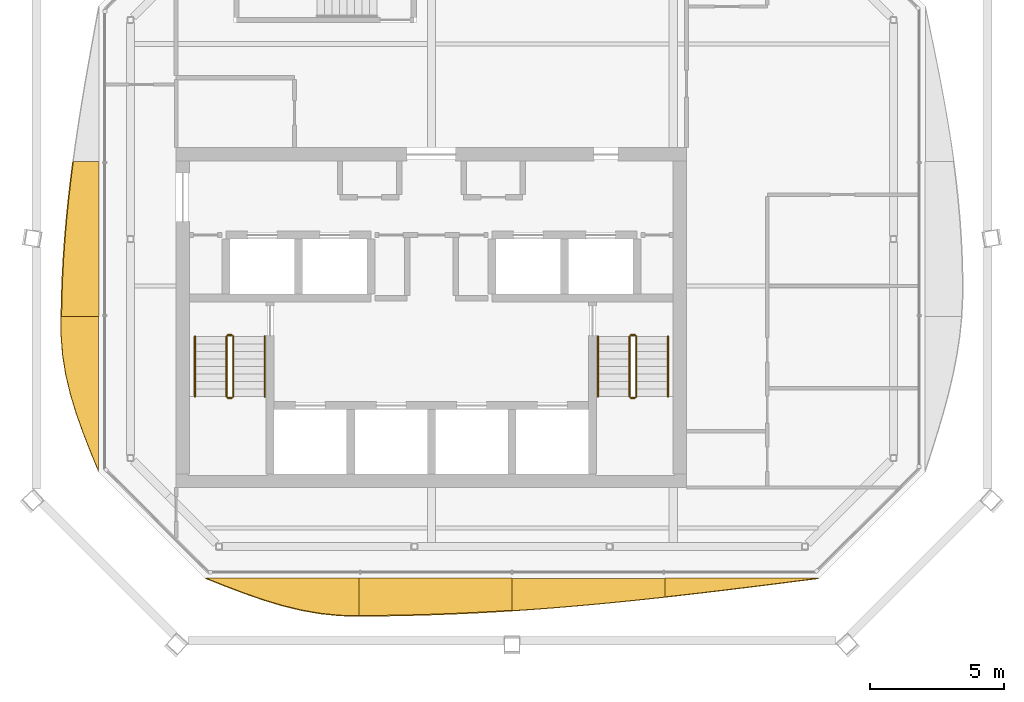
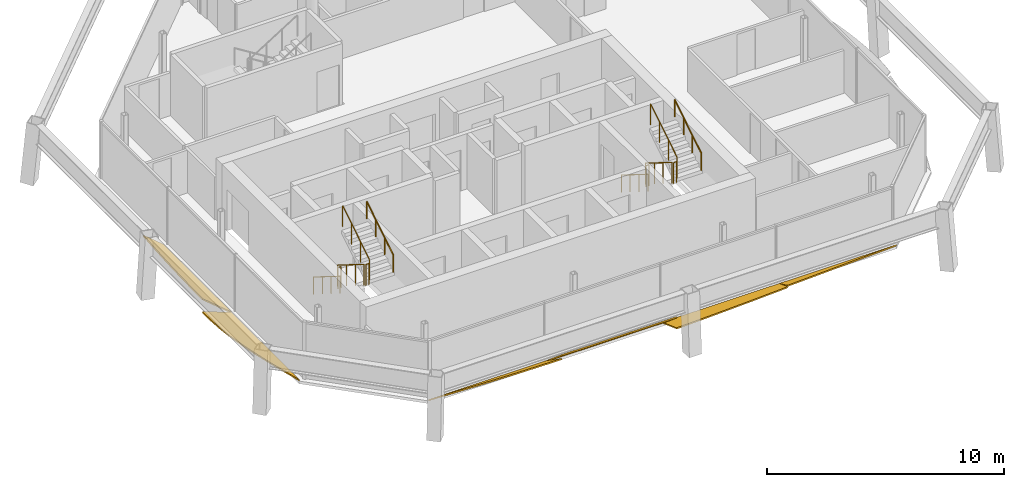
# One storey, part 12 of 14: 12 railings, 6 shading devices.
"""IFC4 building model written with IfcOpenShell, lengths in metres."""

from ifc_helpers import new_model, si_unit, direction, frame, origin, origin_2d, place, context, subcontext, project, spatial, polyline, circle, outline, extrude, material, layer, layer_set, type_object, element, save


model = new_model("IFC4")

# Units and contexts
model_context = context("Model", 3, precision=1e-05, world=origin(), true_north=direction((0.0, 1.0)))
body_context = subcontext(model_context, "Body", "Model", "MODEL_VIEW")
ifc_project = project(units=[si_unit("LENGTHUNIT", "METRE"), si_unit("AREAUNIT", "SQUARE_METRE"), si_unit("VOLUMEUNIT", "CUBIC_METRE"), si_unit("PLANEANGLEUNIT", "RADIAN"), si_unit("MASSUNIT", "GRAM", prefix="KILO")], contexts=[model_context])

# Site, building, storey
site_placement = place(None, origin())
site = spatial("IfcSite", under=ifc_project, at=site_placement, CompositionType="ELEMENT")
building_placement = place(site_placement, origin())
building = spatial("IfcBuilding", under=site, at=building_placement, Name="Tskaro Facet Tower", CompositionType="ELEMENT")
storey_placement = place(building_placement, frame((0.0, 0.0, 294.14990234375)))
storey = spatial("IfcBuildingStorey", under=building, at=storey_placement, Name="L79", CompositionType="ELEMENT", Elevation=294.14990234375)

# Shading devices
ifc_material_1 = material(Name="Bronze anodised aluminium 6063-T6", Category="aluminium")
ifc_layer = layer(ifc_material_1, 0.06005859375, Name="Bronze anodised aluminium 6063-T6")
ifc_layer_set = layer_set([ifc_layer], Name="Bronze anodised aluminium 6063-T6")
shading_device_type = type_object("IfcShadingDeviceType", Name="Bronze sun blade (FN1)", PredefinedType="USERDEFINED", material=ifc_layer_set)
shading_device_1_placement = place(storey_placement, frame((-8.39990234375, -15.365478515625, 0.04931640625), z_axis=(-1.80341e-06, 0.573482290062, 0.819217958166), x_axis=(0.999999999998, 1.034224e-06, 1.477386e-06)))
element("IfcShadingDevice", 1, at=shading_device_1_placement, inside=storey, type_object=shading_device_type, Name="Fin blade south 1", ObjectType="FIN", PredefinedType="USERDEFINED", context=body_context, shape_type="SweptSolid", body=[
    extrude(outline(polyline([(0.0, 0.0), (5.699951171865731, 0.0), (5.699951171862839, -1.7088265831165088), (5.51757812509633, -1.7091665978255495), (4.987304687417699, -1.6897258379076334), (4.274902343672651, -1.6033024705366963), (3.562500000182979, -1.451116544224178), (2.8498535158184284, -1.239528299971194), (2.1374511717204117, -0.9771380714174209), (1.4248046874320026, -0.6743862760724615), (0.7124023436615773, -0.34447342097230843), (0.0, 0.0)])), origin(), (0.0, 0.0, -1.0), 0.06005859375),
])
shading_device_2_placement = place(storey_placement, frame((-2.699951171875, -15.361328125, 0.046142578125), z_axis=(1.0842489e-05, 0.642723454567, 0.766098271002), x_axis=(0.999999999941, -6.968722e-06, -8.306412e-06)))
element("IfcShadingDevice", 2, at=shading_device_2_placement, inside=storey, type_object=shading_device_type, Name="Fin blade south 2", ObjectType="FIN", PredefinedType="USERDEFINED", context=body_context, shape_type="SweptSolid", body=[
    extrude(outline(polyline([(0.0, 0.0), (5.699951171539959, 0.0), (5.6999511720519225, -1.572648942792908), (4.98754882699387, -1.6294785351847652), (4.274902343786659, -1.6797429450561583), (3.562500000604145, -1.722724150369063), (2.8498535141684256, -1.7585790660293892), (2.1374511714866853, -1.7871808979360226), (1.4250488285312424, -1.8081555746675537), (0.7124023446771114, -1.8215030962239829), (-8.536694795492178e-10, -1.8273803775112185), (0.0, 0.0)])), origin(), (0.0, 0.0, -1.0), 0.06005859375),
])
shading_device_3_placement = place(storey_placement, frame((3.0, -15.37939453125, 0.056396484375), z_axis=(-5.401509e-06, 0.342072808056, 0.939673450705), x_axis=(0.999999999985, 1.847709e-06, 5.075655e-06)))
element("IfcShadingDevice", 3, at=shading_device_3_placement, inside=storey, type_object=shading_device_type, Name="Fin blade south 3", ObjectType="FIN", PredefinedType="USERDEFINED", context=body_context, shape_type="SweptSolid", body=[
    extrude(outline(polyline([(0.0, 0.0), (5.699951171791849, 1.207011610079721e-21), (5.699951171970633, -0.7378847372010957), (4.987548827736986, -0.8202125831007022), (4.274902342997889, -0.8989110851647704), (3.5625000006936065, -0.9738343447989015), (2.850097656481624, -1.0447318203956293), (2.1374511714272195, -1.1114576133605547), (1.4250488281336873, -1.1733234863030146), (0.7124023441118618, -1.2302459253538538), (-1.7633696128471069e-10, -1.2819120041803624), (0.0, 0.0)])), origin(), (0.0, 0.0, -1.0), 0.06005859375),
])
shading_device_4_placement = place(storey_placement, frame((8.699951171875, -15.374755859375, 0.054443359375), z_axis=(-3.489745e-06, 0.42268251359, 0.906277823127), x_axis=(0.999999999994, 1.475054e-06, 3.162678e-06)))
element("IfcShadingDevice", 4, at=shading_device_4_placement, inside=storey, type_object=shading_device_type, Name="Fin blade south 4", ObjectType="FIN", PredefinedType="USERDEFINED", context=body_context, shape_type="SweptSolid", body=[
    extrude(outline(polyline([(0.0, 0.0), (5.699951171840293, 0.0), (4.987548828069795, -0.09993973321140988), (4.275146484247402, -0.19933375398144793), (3.562499999748112, -0.2981820623101141), (2.8500976564902687, -0.39549642728771006), (2.1374511720916147, -0.4913949141753538), (1.425048828110372, -0.5851105512975102), (0.7126464842816612, -0.676422079420016), (-7.141218876178207e-11, -0.7647837861014992), (0.0, 0.0)])), origin(), (0.0, 0.0, -1.0), 0.06005859375),
])
shading_device_5_placement = place(storey_placement, frame((-12.361328125, 0.13330078125, 0.046142578125), z_axis=(0.642738109991, -2.820116e-06, 0.766085975565), x_axis=(-1.812596e-06, -0.999999999996, -2.160451e-06)))
element("IfcShadingDevice", 5, at=shading_device_5_placement, inside=storey, type_object=shading_device_type, Name="Fin blade west 2", ObjectType="FIN", PredefinedType="USERDEFINED", context=body_context, shape_type="SweptSolid", body=[
    extrude(outline(polyline([(0.0, 0.0), (5.766601562477069, 0.0), (5.766601562590493, -1.824441736432035), (5.045898437602108, -1.806592735992215), (4.324951171657769, -1.772270539883631), (3.6042480468076072, -1.722193164716805), (2.8833007811892433, -1.6568614801683865), (2.162353515870206, -1.5764625189472539), (1.441650390693263, -1.4821850531155842), (0.7207031247660188, -1.3745600665750213), (5.367704253968996e-11, -1.2546495271288503), (0.0, 0.0)])), origin(), (0.0, 0.0, -1.0), 0.06005859375),
])
shading_device_6_placement = place(storey_placement, frame((-12.37939453125, -5.63330078125, 0.056396484375), z_axis=(0.342080113868, 1.3619766e-05, 0.939670791028), x_axis=(4.659051e-06, -0.999999999907, 1.2798096e-05)))
element("IfcShadingDevice", 6, at=shading_device_6_placement, inside=storey, type_object=shading_device_type, Name="Fin blade west 3", ObjectType="FIN", PredefinedType="USERDEFINED", context=body_context, shape_type="SweptSolid", body=[
    extrude(outline(polyline([(0.0, 0.0), (5.766601561965153, 0.0), (5.045898438621018, -0.3144186981149196), (4.324951171597166, -0.6144659177378448), (3.604248048174565, -0.8867924784307222), (2.8833007800604156, -1.1192586393353057), (2.162597656508797, -1.301685740048424), (1.4416503900625617, -1.4253339715609503), (0.7209472639866545, -1.4848010762042536), (0.43823241938534974, -1.4899739220586468), (-4.479738898456847e-10, -1.487429256957854), (0.0, 0.0)])), origin(), (0.0, 0.0, -1.0), 0.06005859375),
])

# Railings
ifc_material_2 = material(Name="Stainless steel", Category="steel")
railing_type_1 = type_object("IfcRailingType", Name="RL-GUARD-1100", PredefinedType="GUARDRAIL", material=ifc_material_2)
railing_1_placement = place(storey_placement, frame((-7.625, -6.375, 0.175048828125)))
element("IfcRailing", 7, at=railing_1_placement, inside=storey, type_object=railing_type_1, Name="L79 ST-1 stair guard 1", PredefinedType="GUARDRAIL", context=body_context, shape_type="SweptSolid", body=[
    extrude(circle(Radius=0.02392578125, at=origin_2d()), frame((0.0, 0.0, 1.076171875), z_axis=(0.0, -0.847972341737, 0.530040477369), x_axis=(1.0, 0.0, 0.0)), (0.0, 0.0, 1.0), 2.6416015625),
    extrude(circle(Radius=0.02099609375, at=origin_2d()), origin(), (0.0, 0.0, 1.0), 1.052001953125),
    extrude(circle(Radius=0.02099609375, at=origin_2d()), frame((0.0, -0.74658203125, 0.466796875)), (0.0, 0.0, 1.0), 1.052001953125),
    extrude(circle(Radius=0.02099609375, at=origin_2d()), frame((0.0, -1.493408203125, 0.933349609375)), (0.0, 0.0, 1.0), 1.052001953125),
    extrude(circle(Radius=0.02099609375, at=origin_2d()), frame((0.0, -2.239990234375, 1.400146484375)), (0.0, 0.0, 1.0), 1.052001953125),
])
railing_2_placement = place(storey_placement, frame((-7.574951171875, -8.6650390625, 1.5751953125)))
element("IfcRailing", 8, at=railing_2_placement, inside=storey, type_object=railing_type_1, Name="L79 ST-1 stair guard 2", PredefinedType="GUARDRAIL", context=body_context, shape_type="SweptSolid", body=[
    extrude(circle(Radius=0.02392578125, at=origin_2d()), frame((0.0, 0.0, 1.076171875), z_axis=(1.0, 0.0, 0.0), x_axis=(0.0, 1.0, 0.0)), (0.0, 0.0, 1.0), 0.14990234375),
    extrude(circle(Radius=0.02099609375, at=origin_2d()), origin(), (0.0, 0.0, 1.0), 1.052001953125),
    extrude(circle(Radius=0.02099609375, at=origin_2d()), frame((0.14990234375, 0.0, 0.0)), (0.0, 0.0, 1.0), 1.052001953125),
])
railing_3_placement = place(storey_placement, frame((-7.375, -8.614990234375, 1.75)))
element("IfcRailing", 9, at=railing_3_placement, inside=storey, type_object=railing_type_1, Name="L79 ST-1 stair guard 3", PredefinedType="GUARDRAIL", context=body_context, shape_type="SweptSolid", body=[
    extrude(circle(Radius=0.02392578125, at=origin_2d()), frame((0.0, 0.0, 1.076171875), z_axis=(0.0, 0.847972341737, 0.530040477369), x_axis=(-1.0, 0.0, 0.0)), (0.0, 0.0, 1.0), 2.6416015625),
    extrude(circle(Radius=0.02099609375, at=origin_2d()), origin(), (0.0, 0.0, 1.0), 1.052001953125),
    extrude(circle(Radius=0.02099609375, at=origin_2d()), frame((0.0, 0.74658203125, 0.466796875)), (0.0, 0.0, 1.0), 1.052001953125),
    extrude(circle(Radius=0.02099609375, at=origin_2d()), frame((0.0, 1.493408203125, 0.933349609375)), (0.0, 0.0, 1.0), 1.052001953125),
    extrude(circle(Radius=0.02099609375, at=origin_2d()), frame((0.0, 2.239990234375, 1.400146484375)), (0.0, 0.0, 1.0), 1.052001953125),
])
railing_4_placement = place(storey_placement, frame((-7.574951171875, -6.324951171875, 0.0)))
element("IfcRailing", 10, at=railing_4_placement, inside=storey, type_object=railing_type_1, Name="L79 ST-1 stair guard 4", PredefinedType="GUARDRAIL", context=body_context, shape_type="SweptSolid", body=[
    extrude(circle(Radius=0.02392578125, at=origin_2d()), frame((0.0, 0.0, 1.076171875), z_axis=(1.0, 0.0, 0.0), x_axis=(0.0, 1.0, 0.0)), (0.0, 0.0, 1.0), 0.14990234375),
    extrude(circle(Radius=0.02099609375, at=origin_2d()), origin(), (0.0, 0.0, 1.0), 1.052001953125),
    extrude(circle(Radius=0.02099609375, at=origin_2d()), frame((0.14990234375, 0.0, 0.0)), (0.0, 0.0, 1.0), 1.052001953125),
])
railing_5_placement = place(storey_placement, frame((7.375, -6.375, 0.175048828125)))
element("IfcRailing", 11, at=railing_5_placement, inside=storey, type_object=railing_type_1, Name="L79 ST-2 stair guard 1", PredefinedType="GUARDRAIL", context=body_context, shape_type="SweptSolid", body=[
    extrude(circle(Radius=0.02392578125, at=origin_2d()), frame((0.0, 0.0, 1.076171875), z_axis=(0.0, -0.847972341737, 0.530040477369), x_axis=(1.0, 0.0, 0.0)), (0.0, 0.0, 1.0), 2.6416015625),
    extrude(circle(Radius=0.02099609375, at=origin_2d()), origin(), (0.0, 0.0, 1.0), 1.052001953125),
    extrude(circle(Radius=0.02099609375, at=origin_2d()), frame((0.0, -0.74658203125, 0.466796875)), (0.0, 0.0, 1.0), 1.052001953125),
    extrude(circle(Radius=0.02099609375, at=origin_2d()), frame((0.0, -1.493408203125, 0.933349609375)), (0.0, 0.0, 1.0), 1.052001953125),
    extrude(circle(Radius=0.02099609375, at=origin_2d()), frame((0.0, -2.239990234375, 1.400146484375)), (0.0, 0.0, 1.0), 1.052001953125),
])
railing_6_placement = place(storey_placement, frame((7.425048828125, -8.6650390625, 1.5751953125)))
element("IfcRailing", 12, at=railing_6_placement, inside=storey, type_object=railing_type_1, Name="L79 ST-2 stair guard 2", PredefinedType="GUARDRAIL", context=body_context, shape_type="SweptSolid", body=[
    extrude(circle(Radius=0.02392578125, at=origin_2d()), frame((0.0, 0.0, 1.076171875), z_axis=(1.0, 0.0, 0.0), x_axis=(0.0, 1.0, 0.0)), (0.0, 0.0, 1.0), 0.14990234375),
    extrude(circle(Radius=0.02099609375, at=origin_2d()), origin(), (0.0, 0.0, 1.0), 1.052001953125),
    extrude(circle(Radius=0.02099609375, at=origin_2d()), frame((0.14990234375, 0.0, 0.0)), (0.0, 0.0, 1.0), 1.052001953125),
])
railing_7_placement = place(storey_placement, frame((7.625, -8.614990234375, 1.75)))
element("IfcRailing", 13, at=railing_7_placement, inside=storey, type_object=railing_type_1, Name="L79 ST-2 stair guard 3", PredefinedType="GUARDRAIL", context=body_context, shape_type="SweptSolid", body=[
    extrude(circle(Radius=0.02392578125, at=origin_2d()), frame((0.0, 0.0, 1.076171875), z_axis=(0.0, 0.847972341737, 0.530040477369), x_axis=(-1.0, 0.0, 0.0)), (0.0, 0.0, 1.0), 2.6416015625),
    extrude(circle(Radius=0.02099609375, at=origin_2d()), origin(), (0.0, 0.0, 1.0), 1.052001953125),
    extrude(circle(Radius=0.02099609375, at=origin_2d()), frame((0.0, 0.74658203125, 0.466796875)), (0.0, 0.0, 1.0), 1.052001953125),
    extrude(circle(Radius=0.02099609375, at=origin_2d()), frame((0.0, 1.493408203125, 0.933349609375)), (0.0, 0.0, 1.0), 1.052001953125),
    extrude(circle(Radius=0.02099609375, at=origin_2d()), frame((0.0, 2.239990234375, 1.400146484375)), (0.0, 0.0, 1.0), 1.052001953125),
])
railing_8_placement = place(storey_placement, frame((7.425048828125, -6.324951171875, 0.0)))
element("IfcRailing", 14, at=railing_8_placement, inside=storey, type_object=railing_type_1, Name="L79 ST-2 stair guard 4", PredefinedType="GUARDRAIL", context=body_context, shape_type="SweptSolid", body=[
    extrude(circle(Radius=0.02392578125, at=origin_2d()), frame((0.0, 0.0, 1.076171875), z_axis=(1.0, 0.0, 0.0), x_axis=(0.0, 1.0, 0.0)), (0.0, 0.0, 1.0), 0.14990234375),
    extrude(circle(Radius=0.02099609375, at=origin_2d()), origin(), (0.0, 0.0, 1.0), 1.052001953125),
    extrude(circle(Radius=0.02099609375, at=origin_2d()), frame((0.14990234375, 0.0, 0.0)), (0.0, 0.0, 1.0), 1.052001953125),
])
railing_type_2 = type_object("IfcRailingType", Name="RL-HANDRAIL-900", PredefinedType="HANDRAIL", material=ifc_material_2)
railing_9_placement = place(storey_placement, frame((-8.800048828125, -6.375, 0.175048828125)))
element("IfcRailing", 15, at=railing_9_placement, inside=storey, type_object=railing_type_2, Name="L79 ST-1 stair handrail 1", PredefinedType="HANDRAIL", context=body_context, shape_type="SweptSolid", body=[
    extrude(circle(Radius=0.02392578125, at=origin_2d()), frame((0.0, 0.0, 0.8759765625), z_axis=(0.0, -0.847972341737, 0.530040477369), x_axis=(1.0, 0.0, 0.0)), (0.0, 0.0, 1.0), 2.6416015625),
    extrude(circle(Radius=0.02099609375, at=origin_2d()), origin(), (0.0, 0.0, 1.0), 0.851806640625),
    extrude(circle(Radius=0.02099609375, at=origin_2d()), frame((0.0, -0.74658203125, 0.466796875)), (0.0, 0.0, 1.0), 0.851806640625),
    extrude(circle(Radius=0.02099609375, at=origin_2d()), frame((0.0, -1.493408203125, 0.933349609375)), (0.0, 0.0, 1.0), 0.851806640625),
    extrude(circle(Radius=0.02099609375, at=origin_2d()), frame((0.0, -2.239990234375, 1.400146484375)), (0.0, 0.0, 1.0), 0.851806640625),
])
railing_10_placement = place(storey_placement, frame((-6.199951171875, -8.614990234375, 1.75)))
element("IfcRailing", 16, at=railing_10_placement, inside=storey, type_object=railing_type_2, Name="L79 ST-1 stair handrail 2", PredefinedType="HANDRAIL", context=body_context, shape_type="SweptSolid", body=[
    extrude(circle(Radius=0.02392578125, at=origin_2d()), frame((0.0, 0.0, 0.8759765625), z_axis=(0.0, 0.847972341737, 0.530040477369), x_axis=(-1.0, 0.0, 0.0)), (0.0, 0.0, 1.0), 2.6416015625),
    extrude(circle(Radius=0.02099609375, at=origin_2d()), origin(), (0.0, 0.0, 1.0), 0.851806640625),
    extrude(circle(Radius=0.02099609375, at=origin_2d()), frame((0.0, 0.74658203125, 0.466796875)), (0.0, 0.0, 1.0), 0.851806640625),
    extrude(circle(Radius=0.02099609375, at=origin_2d()), frame((0.0, 1.493408203125, 0.933349609375)), (0.0, 0.0, 1.0), 0.851806640625),
    extrude(circle(Radius=0.02099609375, at=origin_2d()), frame((0.0, 2.239990234375, 1.400146484375)), (0.0, 0.0, 1.0), 0.851806640625),
])
railing_11_placement = place(storey_placement, frame((6.199951171875, -6.375, 0.175048828125)))
element("IfcRailing", 17, at=railing_11_placement, inside=storey, type_object=railing_type_2, Name="L79 ST-2 stair handrail 1", PredefinedType="HANDRAIL", context=body_context, shape_type="SweptSolid", body=[
    extrude(circle(Radius=0.02392578125, at=origin_2d()), frame((0.0, 0.0, 0.8759765625), z_axis=(0.0, -0.847972341737, 0.530040477369), x_axis=(1.0, 0.0, 0.0)), (0.0, 0.0, 1.0), 2.6416015625),
    extrude(circle(Radius=0.02099609375, at=origin_2d()), origin(), (0.0, 0.0, 1.0), 0.851806640625),
    extrude(circle(Radius=0.02099609375, at=origin_2d()), frame((0.0, -0.74658203125, 0.466796875)), (0.0, 0.0, 1.0), 0.851806640625),
    extrude(circle(Radius=0.02099609375, at=origin_2d()), frame((0.0, -1.493408203125, 0.933349609375)), (0.0, 0.0, 1.0), 0.851806640625),
    extrude(circle(Radius=0.02099609375, at=origin_2d()), frame((0.0, -2.239990234375, 1.400146484375)), (0.0, 0.0, 1.0), 0.851806640625),
])
railing_12_placement = place(storey_placement, frame((8.800048828125, -8.614990234375, 1.75)))
element("IfcRailing", 18, at=railing_12_placement, inside=storey, type_object=railing_type_2, Name="L79 ST-2 stair handrail 2", PredefinedType="HANDRAIL", context=body_context, shape_type="SweptSolid", body=[
    extrude(circle(Radius=0.02392578125, at=origin_2d()), frame((0.0, 0.0, 0.8759765625), z_axis=(0.0, 0.847972341737, 0.530040477369), x_axis=(-1.0, 0.0, 0.0)), (0.0, 0.0, 1.0), 2.6416015625),
    extrude(circle(Radius=0.02099609375, at=origin_2d()), origin(), (0.0, 0.0, 1.0), 0.851806640625),
    extrude(circle(Radius=0.02099609375, at=origin_2d()), frame((0.0, 0.74658203125, 0.466796875)), (0.0, 0.0, 1.0), 0.851806640625),
    extrude(circle(Radius=0.02099609375, at=origin_2d()), frame((0.0, 1.493408203125, 0.933349609375)), (0.0, 0.0, 1.0), 0.851806640625),
    extrude(circle(Radius=0.02099609375, at=origin_2d()), frame((0.0, 2.239990234375, 1.400146484375)), (0.0, 0.0, 1.0), 0.851806640625),
])

save(model, "model.ifc")
